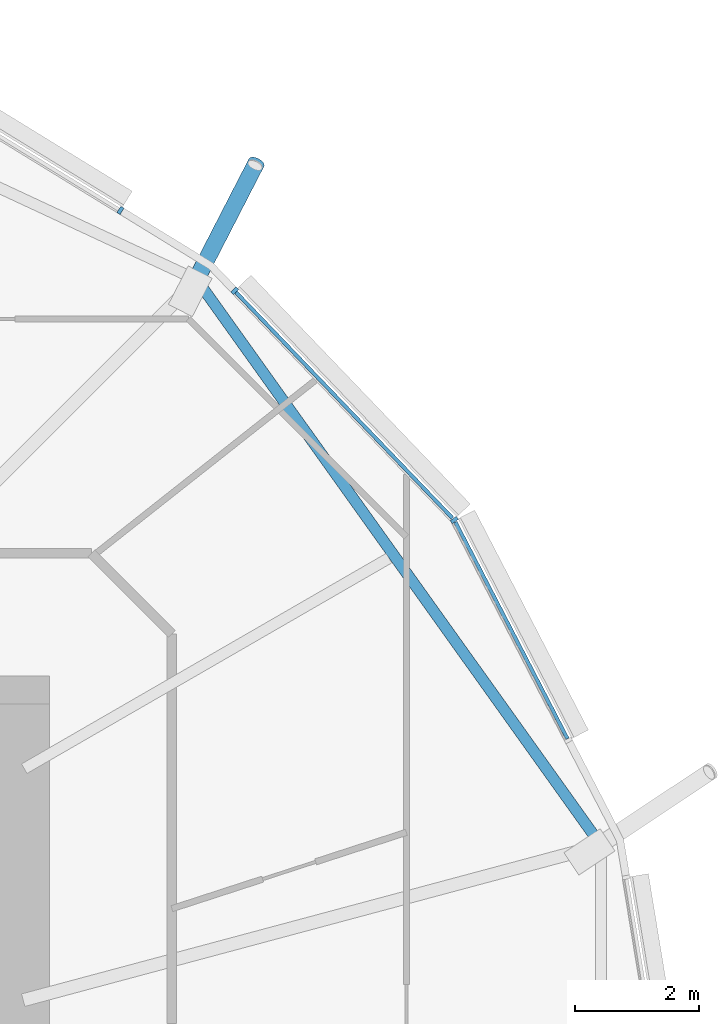
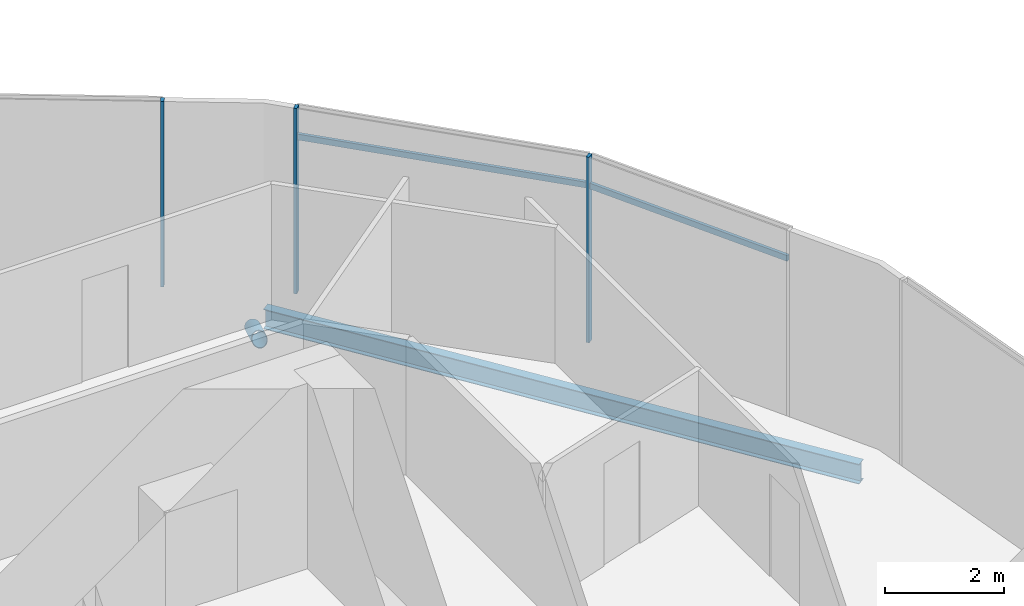
# One storey, part 12 of 37: 6 members, 1 beam, 1 element without a shape of its own.
"""IFC4 building model written with IfcOpenShell, lengths in metres."""

from ifc_helpers import new_model, si_unit, direction, frame, origin, origin_2d, place, context, subcontext, project, spatial, rectangle, hollow_circle, i_section, extrude, clip, halfspace, material, material_profile, profile_set, type_object, element, aggregate, save


model = new_model("IFC4")

# Units and contexts
model_context = context("Model", 3, precision=1e-05, world=origin(), true_north=direction((0.0, 1.0)))
body_context = subcontext(model_context, "Body", "Model", "MODEL_VIEW")
ifc_project = project(units=[si_unit("LENGTHUNIT", "METRE"), si_unit("AREAUNIT", "SQUARE_METRE"), si_unit("VOLUMEUNIT", "CUBIC_METRE"), si_unit("PLANEANGLEUNIT", "RADIAN"), si_unit("MASSUNIT", "GRAM", prefix="KILO")], contexts=[model_context])

# Site, building, storey
site_placement = place(None, origin())
site = spatial("IfcSite", under=ifc_project, at=site_placement, CompositionType="ELEMENT")
building_placement = place(site_placement, origin())
building = spatial("IfcBuilding", under=site, at=building_placement, Name="Rimbun Link Towers", CompositionType="ELEMENT")
storey_placement = place(building_placement, frame((0.0, 0.0, 45.199951171875)))
storey = spatial("IfcBuildingStorey", under=building, at=storey_placement, Name="L10", CompositionType="ELEMENT", Elevation=45.199951171875)

# Curtain wall, members
ifc_material_1 = material(Name="Aluminium 6063-T6 and low-iron glass", Category="aluminium")
curtain_wall_type = type_object("IfcCurtainWallType", Name="CW1 unitised vision wall", PredefinedType="NOTDEFINED", material=ifc_material_1)
curtain_wall_placement = place(storey_placement, origin())
curtain_wall = element("IfcCurtainWall", 1, at=curtain_wall_placement, inside=storey, type_object=curtain_wall_type, Name="CW1 L10 T1", PredefinedType="NOTDEFINED")
ifc_material_2 = material(Name="Aluminium 6063-T6", Category="aluminium")
ifc_material_profile_1 = material_profile(ifc_material_2, rectangle(XDim=0.1201171875, YDim=0.06005859375, at=origin_2d()), Name="MULLION 60X120")
ifc_profile_set_1 = profile_set([ifc_material_profile_1], Name="Aluminium 6063-T6")
member_type_1 = type_object("IfcMemberType", Name="CW1 mullion 60X120", PredefinedType="MULLION", material=ifc_profile_set_1)
member_1_placement = place(storey_placement, frame((-12.772216796875, 10.963623046875, 0.0), z_axis=(0.0, 0.0, 1.0), x_axis=(0.813348990661, 0.581776090426, 0.0)))
member_1 = element("IfcMember", 2, at=member_1_placement, type_object=member_type_1, Name="CW1 mullion", PredefinedType="MULLION", context=body_context, shape_type="SweptSolid", body=[
    extrude(rectangle(XDim=0.1201171875, YDim=0.06005859375, at=origin_2d()), origin(), (0.0, 0.0, 1.0), 3.800048828125),
])
member_2_placement = place(storey_placement, frame((-16.312744140625, 14.65771484375, 0.0), z_axis=(0.0, 0.0, 1.0), x_axis=(0.721848038908, 0.692051593976, 0.0)))
member_2 = element("IfcMember", 3, at=member_2_placement, type_object=member_type_1, Name="CW1 mullion", PredefinedType="MULLION", context=body_context, shape_type="SweptSolid", body=[
    extrude(rectangle(XDim=0.1201171875, YDim=0.06005859375, at=origin_2d()), origin(), (0.0, 0.0, 1.0), 3.800048828125),
])
member_3_placement = place(storey_placement, frame((-18.154052734375, 15.953857421875, 0.0), z_axis=(0.0, 0.0, 1.0), x_axis=(0.523240552823, 0.852185029135, 0.0)))
member_3 = element("IfcMember", 4, at=member_3_placement, type_object=member_type_1, Name="CW1 mullion", PredefinedType="MULLION", context=body_context, shape_type="SweptSolid", body=[
    extrude(rectangle(XDim=0.1201171875, YDim=0.06005859375, at=origin_2d()), origin(), (0.0, 0.0, 1.0), 3.800048828125),
])
ifc_material_3 = material(Name="Aluminium 6063-T6", Category="aluminium")
ifc_material_profile_2 = material_profile(ifc_material_3, rectangle(XDim=0.06005859375, YDim=0.1201171875, at=origin_2d()), Name="TRANSOM 60X120")
ifc_profile_set_2 = profile_set([ifc_material_profile_2], Name="Aluminium 6063-T6")
member_type_2 = type_object("IfcMemberType", Name="CW1 transom 60X120", PredefinedType="USERDEFINED", material=ifc_profile_set_2)
member_4_placement = place(storey_placement, frame((-12.755615234375, 10.9287109375, 3.199951171875), z_axis=(0.459566520124, -0.888143351932, 0.0), x_axis=(0.888143351932, 0.459566520124, 0.0)))
member_4 = element("IfcMember", 5, at=member_4_placement, type_object=member_type_2, Name="CW1 transom", ObjectType="TRANSOM", PredefinedType="USERDEFINED", context=body_context, shape_type="SweptSolid", body=[
    extrude(rectangle(XDim=0.06005859375, YDim=0.1201171875, at=origin_2d()), origin(), (0.0, 0.0, 1.0), 3.93115234375),
])
member_5_placement = place(storey_placement, frame((-16.29345703125, 14.634765625, 3.199951171875), z_axis=(0.69203034464, -0.721868410513, 0.0), x_axis=(0.721868410513, 0.69203034464, 0.0)))
member_5 = element("IfcMember", 6, at=member_5_placement, type_object=member_type_2, Name="CW1 transom", ObjectType="TRANSOM", PredefinedType="USERDEFINED", context=body_context, shape_type="SweptSolid", body=[
    extrude(rectangle(XDim=0.06005859375, YDim=0.1201171875, at=origin_2d()), origin(), (0.0, 0.0, 1.0), 5.04833984375),
])
aggregate(curtain_wall, [member_1, member_2, member_3, member_4, member_5])

# Member
ifc_material_4 = material(Name="Steel S355J2H", Category="steel")
ifc_material_profile_3 = material_profile(ifc_material_4, hollow_circle(Radius=0.136474609375, WallThickness=0.012451171875, at=origin_2d()), Name="CHS 273x12.5")
ifc_profile_set_3 = profile_set([ifc_material_profile_3], Name="Steel S355J2H")
member_type_3 = type_object("IfcMemberType", Name="Floor edge link CHS 273x12.5", PredefinedType="BRACE", material=ifc_profile_set_3)
member_6_placement = place(storey_placement, frame((-16.953857421875, 14.796142578125, -0.81005859375), z_axis=(0.393906004546, 0.765330780788, -0.509025397756), x_axis=(-0.889142546891, 0.457630343519, 0.0)))
element("IfcMember", 7, at=member_6_placement, inside=storey, type_object=member_type_3, Name="Floor edge link T1 L10 03", PredefinedType="BRACE", context=body_context, shape_type="Clipping", body=[
    clip(extrude(hollow_circle(Radius=0.136474609375, WallThickness=0.012451171875, at=origin_2d()), frame((0.0, 0.0, -0.4814453125)), (0.0, 0.0, 1.0), 3.0009765625), halfspace(frame((0.0, 0.0, -0.225830078125), z_axis=(0.0, 0.860751499818, -0.509025397756)), False)),
])

# Beam
ifc_material_5 = material(Name="Steel S355J2", Category="steel")
ifc_material_profile_4 = material_profile(ifc_material_5, i_section(OverallWidth=0.177978515625, OverallDepth=0.406494140625, WebThickness=0.0078125, FlangeThickness=0.0126953125, at=origin_2d()), Name="UB 406x178x60")
ifc_profile_set_4 = profile_set([ifc_material_profile_4], Name="Steel S355J2")
beam_type = type_object("IfcBeamType", Name="UB 406x178x60", PredefinedType="BEAM", material=ifc_profile_set_4)
beam_placement = place(storey_placement, frame((-10.472412109375, 5.810791015625, -0.363037109375), z_axis=(-0.581398033371, 0.813619276316, 0.0), x_axis=(-0.813619276316, -0.581398033371, 0.0)))
element("IfcBeam", 8, at=beam_placement, inside=storey, type_object=beam_type, Name="Edge beam T1 L10 01-03", PredefinedType="BEAM", context=body_context, shape_type="SweptSolid", body=[
    extrude(i_section(OverallWidth=0.177978515625, OverallDepth=0.406494140625, WebThickness=0.0078125, FlangeThickness=0.0126953125, at=origin_2d()), origin(), (0.0, 0.0, 1.0), 10.97998046875),
])

save(model, "model.ifc")
